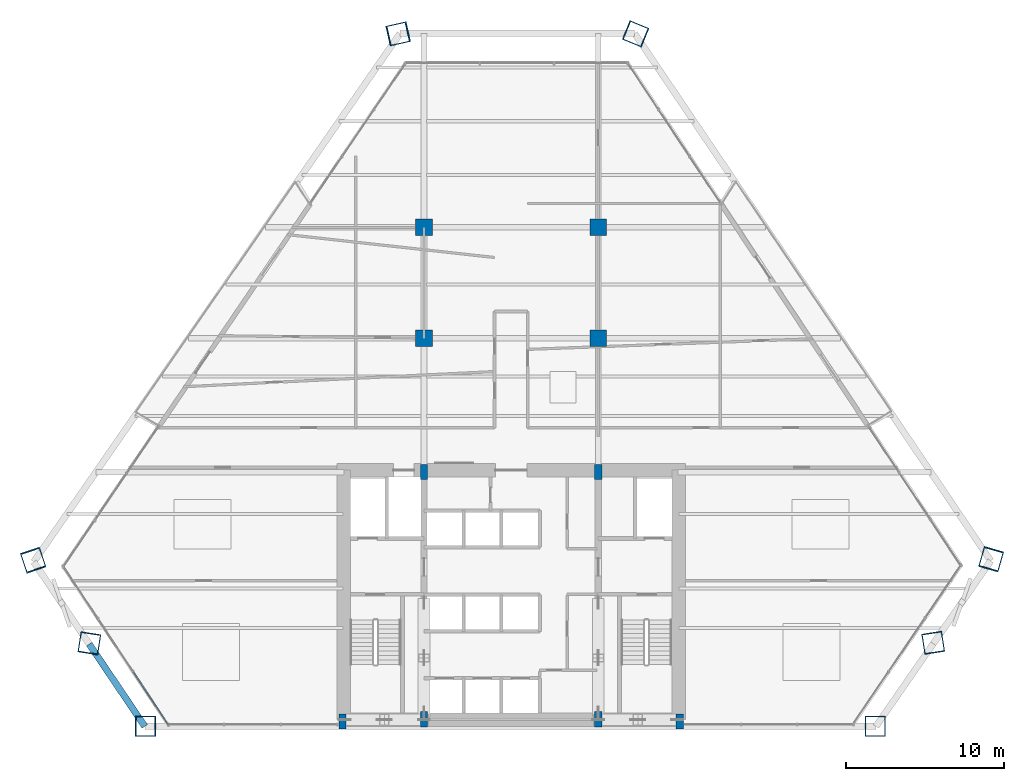
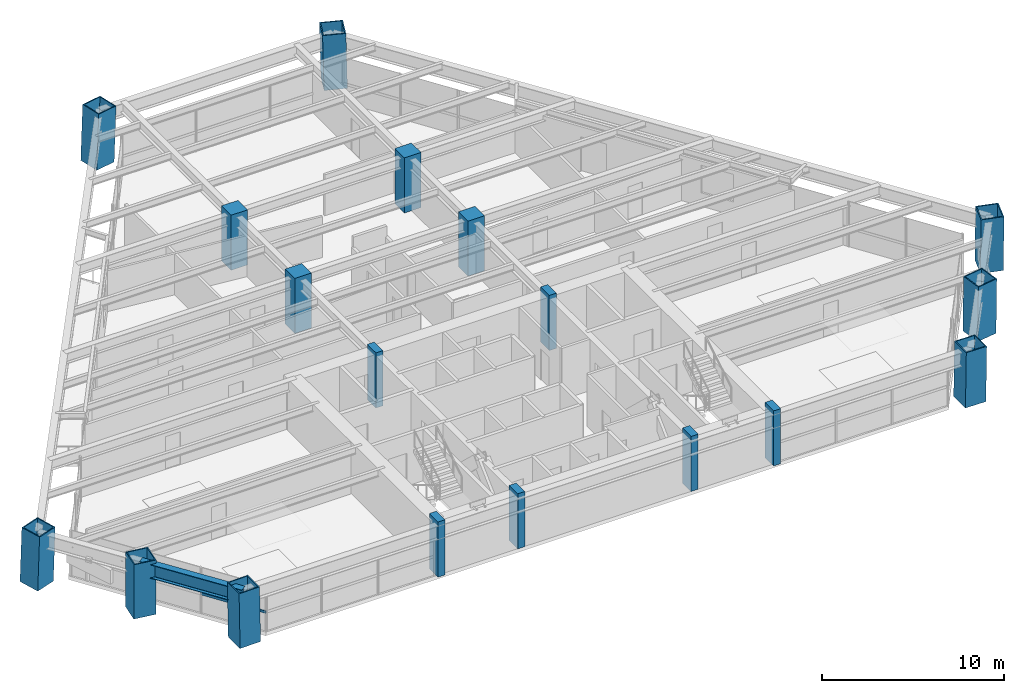
# One storey, part 1 of 14: 18 columns, 1 beam, 1 member, 1 element without a shape of its own.
"""IFC4 building model written with IfcOpenShell, lengths in metres."""

from ifc_helpers import new_model, si_unit, direction, frame, origin, origin_2d, place, context, subcontext, project, spatial, rectangle, hollow_rectangle, i_section, extrude, source, transform, mapped, material, material_profile, profile_set, type_object, element, aggregate, save


model = new_model("IFC4")

# Units and contexts
model_context = context("Model", 3, precision=1e-05, world=origin(), true_north=direction((0.0, 1.0)))
body_context = subcontext(model_context, "Body", "Model", "MODEL_VIEW")
ifc_project = project(units=[si_unit("LENGTHUNIT", "METRE"), si_unit("AREAUNIT", "SQUARE_METRE"), si_unit("VOLUMEUNIT", "CUBIC_METRE"), si_unit("PLANEANGLEUNIT", "RADIAN"), si_unit("MASSUNIT", "GRAM", prefix="KILO")], contexts=[model_context])

# Site, building, storey
site_placement = place(None, origin())
site = spatial("IfcSite", under=ifc_project, at=site_placement, CompositionType="ELEMENT")
building_placement = place(site_placement, origin())
building = spatial("IfcBuilding", under=site, at=building_placement, Name="Varnakhor Terracotta Tower", CompositionType="ELEMENT")
storey_placement = place(building_placement, frame((0.0, 0.0, 60.800048828125)))
storey = spatial("IfcBuildingStorey", under=building, at=storey_placement, Name="L14", CompositionType="ELEMENT", Elevation=60.800048828125)

# Columns
ifc_material_1 = material(Name="Concrete C50/60", Category="concrete")
ifc_material_profile_1 = material_profile(ifc_material_1, rectangle(XDim=0.449951171875, YDim=0.949951171875, at=origin_2d()), Name="RC PILASTER 950x450")
ifc_profile_set_1 = profile_set([ifc_material_profile_1], Name="Concrete C50/60")
column_type_1 = type_object("IfcColumnType", Name="COL-PIL-950x450", PredefinedType="PILASTER", material=ifc_profile_set_1)
shared_shape_1 = source(origin(), body_context, "Body", "SweptSolid", [
    extrude(rectangle(XDim=0.449951171875, YDim=0.949951171875, at=origin_2d()), origin(), (0.0, 0.0, 1.0), 3.699951171875),
])
for number, where, z_axis, x_axis, name in (
    (1, (-10.64990234375, 0.300048828125, 0.0), (0.0, 0.0, 1.0), (1.0, 0.0, 0.0), "L14 Core Pilaster CP1"),
    (2, (-5.5, 0.449951171875, 0.0), (0.0, 0.0, 1.0), (1.0, 0.0, 0.0), "L14 Core Pilaster CP2"),
    (3, (5.5, 0.449951171875, 0.0), (0.0, 0.0, 1.0), (1.0, 0.0, 0.0), "L14 Core Pilaster CP3"),
    (4, (10.64990234375, 0.300048828125, 0.0), (0.0, 0.0, 1.0), (1.0, 0.0, 0.0), "L14 Core Pilaster CP4"),
    (5, (-5.5, 16.050048828125, 0.0), (0.0, 0.0, 1.0), (1.0, 0.0, 0.0), "L14 Core Pilaster CP5"),
    (6, (5.5, 16.050048828125, 0.0), (0.0, 0.0, 1.0), (1.0, 0.0, 0.0), "L14 Core Pilaster CP6"),
):
    element("IfcColumn", number, at=place(storey_placement, frame(where, z_axis=z_axis, x_axis=x_axis)), inside=storey, type_object=column_type_1, Name=name, PredefinedType="PILASTER", context=body_context, shape_type="MappedRepresentation", body=[
        mapped(shared_shape_1, transform((0.0, 0.0, 0.0), scale=1.0)),
    ])
ifc_material_2 = material(Name="Steel S460", Category="steel")
ifc_material_profile_2 = material_profile(ifc_material_2, hollow_rectangle(XDim=1.300048828125, YDim=1.300048828125, WallThickness=0.06494140625, at=origin_2d()), Name="BOX 1300x1300x65")
ifc_profile_set_2 = profile_set([ifc_material_profile_2], Name="Steel S460")
column_type_2 = type_object("IfcColumnType", Name="COL-MEGA-1300", PredefinedType="COLUMN", material=ifc_profile_set_2)
shared_shape_2 = source(origin(), body_context, "Body", "SweptSolid", [
    extrude(hollow_rectangle(XDim=1.300048828125, YDim=1.300048828125, WallThickness=0.06494140625, at=origin_2d()), origin(), (0.0, 0.0, 1.0), 3.691650390625),
])
for number, where, z_axis, x_axis, name in (
    (7, (-23.062255859375, 0.0, 0.00439453125), (-0.017128249547, 0.0, 0.999853300773), (0.0, -1.0, 0.0), "L14 Perimeter Mega-Column M1"),
    (8, (22.976318359375, 0.0, 0.00439453125), (0.014615807496, 0.0, 0.999893183381), (0.0, 1.0, 0.0), "L14 Perimeter Mega-Column M2"),
    (9, (26.64306640625, 5.287109375, 0.00439453125), (0.002579174526, -0.016533170039, 0.999859991272), (0.988049680197, 0.154135750111, 0.0), "L14 Perimeter Mega-Column M3"),
    (10, (-26.62060546875, 5.255615234375, 0.00439453125), (-0.002711399396, -0.017392635151, 0.999845060275), (0.988065695146, -0.154033055137, 0.0), "L14 Perimeter Mega-Column M8"),
):
    element("IfcColumn", number, at=place(storey_placement, frame(where, z_axis=z_axis, x_axis=x_axis)), inside=storey, type_object=column_type_2, Name=name, PredefinedType="COLUMN", context=body_context, shape_type="MappedRepresentation", body=[
        mapped(shared_shape_2, transform((0.0, 0.0, 0.0), scale=1.0)),
    ])
shared_shape_3 = source(origin(), body_context, "Body", "SweptSolid", [
    extrude(hollow_rectangle(XDim=1.300048828125, YDim=1.300048828125, WallThickness=0.06494140625, at=origin_2d()), origin(), (0.0, 0.0, 1.0), 3.693359375),
])
column_1_placement = place(storey_placement, frame((30.309814453125, 10.573974609375, 0.00439453125), z_axis=(-0.009518845571, -0.032919340932, 0.999412681814), x_axis=(0.960645574406, -0.277777033563, 0.0)))
element("IfcColumn", 11, at=column_1_placement, inside=storey, type_object=column_type_2, Name="L14 Perimeter Mega-Column M4", PredefinedType="COLUMN", context=body_context, shape_type="MappedRepresentation", body=[
    mapped(shared_shape_3, transform((0.0, 0.0, 0.0), scale=1.0)),
])
shared_shape_4 = source(origin(), body_context, "Body", "SweptSolid", [
    extrude(hollow_rectangle(XDim=1.300048828125, YDim=1.300048828125, WallThickness=0.06494140625, at=origin_2d()), origin(), (0.0, 0.0, 1.0), 3.69384765625),
])
column_2_placement = place(storey_placement, frame((-7.1533203125, 43.71240234375, 0.00439453125), z_axis=(0.037870766223, 0.008525879307, 0.999246273172), x_axis=(-0.219633734436, 0.975582401798, 0.0)))
element("IfcColumn", 12, at=column_2_placement, inside=storey, type_object=column_type_2, Name="L14 Perimeter Mega-Column M6", PredefinedType="COLUMN", context=body_context, shape_type="MappedRepresentation", body=[
    mapped(shared_shape_4, transform((0.0, 0.0, 0.0), scale=1.0)),
])
ifc_material_3 = material(Name="Concrete C60/75", Category="concrete")
ifc_material_profile_3 = material_profile(ifc_material_3, rectangle(XDim=1.050048828125, YDim=1.050048828125, at=origin_2d()), Name="RC 1050x1050")
ifc_profile_set_3 = profile_set([ifc_material_profile_3], Name="Concrete C60/75")
column_type_3 = type_object("IfcColumnType", Name="COL-RC-1050", PredefinedType="COLUMN", material=ifc_profile_set_3)
shared_shape_5 = source(origin(), body_context, "Body", "SweptSolid", [
    extrude(rectangle(XDim=1.050048828125, YDim=1.050048828125, at=origin_2d()), origin(), (0.0, 0.0, 1.0), 3.699951171875),
])
for number, where, z_axis, x_axis, name in (
    (13, (-5.5, 24.5, 0.0), (0.0, 0.0, 1.0), (1.0, 0.0, 0.0), "L14 Interior Tower Column IC1"),
    (14, (5.5, 24.5, 0.0), (0.0, 0.0, 1.0), (1.0, 0.0, 0.0), "L14 Interior Tower Column IC2"),
    (15, (-5.5, 31.5, 0.0), (0.0, 0.0, 1.0), (1.0, 0.0, 0.0), "L14 Interior Tower Column IC3"),
    (16, (5.5, 31.5, 0.0), (0.0, 0.0, 1.0), (1.0, 0.0, 0.0), "L14 Interior Tower Column IC4"),
):
    element("IfcColumn", number, at=place(storey_placement, frame(where, z_axis=z_axis, x_axis=x_axis)), inside=storey, type_object=column_type_3, Name=name, PredefinedType="COLUMN", context=body_context, shape_type="MappedRepresentation", body=[
        mapped(shared_shape_5, transform((0.0, 0.0, 0.0), scale=1.0)),
    ])
shared_shape_6 = source(origin(), body_context, "Body", "SweptSolid", [
    extrude(hollow_rectangle(XDim=1.300048828125, YDim=1.300048828125, WallThickness=0.06494140625, at=origin_2d()), origin(), (0.0, 0.0, 1.0), 3.692138671875),
])
column_3_placement = place(storey_placement, frame((7.873779296875, 43.71240234375, 0.00439453125), z_axis=(-0.02076333626, 0.008530160438, 0.99974802837), x_axis=(-0.380008874056, -0.924982840726, 0.0)))
element("IfcColumn", 17, at=column_3_placement, inside=storey, type_object=column_type_2, Name="L14 Perimeter Mega-Column M5", PredefinedType="COLUMN", context=body_context, shape_type="MappedRepresentation", body=[
    mapped(shared_shape_6, transform((0.0, 0.0, 0.0), scale=1.0)),
])
shared_shape_7 = source(origin(), body_context, "Body", "SweptSolid", [
    extrude(hollow_rectangle(XDim=1.300048828125, YDim=1.300048828125, WallThickness=0.06494140625, at=origin_2d()), origin(), (0.0, 0.0, 1.0), 3.693603515625),
])
column_4_placement = place(storey_placement, frame((-30.1787109375, 10.51123046875, 0.00439453125), z_axis=(0.011699244086, -0.034767245136, 0.999326956683), x_axis=(0.947778517779, 0.318929273093, 0.0)))
element("IfcColumn", 18, at=column_4_placement, inside=storey, type_object=column_type_2, Name="L14 Perimeter Mega-Column M7", PredefinedType="COLUMN", context=body_context, shape_type="MappedRepresentation", body=[
    mapped(shared_shape_7, transform((0.0, 0.0, 0.0), scale=1.0)),
])

# Beam
ifc_material_4 = material(Name="Steel S355", Category="steel")
ifc_material_profile_4 = material_profile(ifc_material_4, i_section(OverallWidth=0.41796875, OverallDepth=0.927001953125, WebThickness=0.01904296875, FlangeThickness=0.031982421875, FilletRadius=0.01806640625, at=origin_2d()), Name="W36X231")
ifc_profile_set_4 = profile_set([ifc_material_profile_4], Name="Steel S355")
beam_type = type_object("IfcBeamType", Name="BM-W36X231", PredefinedType="BEAM", material=ifc_profile_set_4)
shared_shape_8 = source(origin(), body_context, "Body", "SweptSolid", [
    extrude(i_section(OverallWidth=0.41796875, OverallDepth=0.927001953125, WebThickness=0.01904296875, FlangeThickness=0.031982421875, FilletRadius=0.01806640625, at=origin_2d()), origin(), (0.0, 0.0, 1.0), 6.263916015625),
])
beam_placement = place(storey_placement, frame((-26.630615234375, 5.19140625, 2.986572265625), z_axis=(0.559574599372, -0.828779987535, 0.0), x_axis=(0.828779987535, 0.559574599372, 0.0)))
element("IfcBeam", 19, at=beam_placement, inside=storey, type_object=beam_type, Name="L14 Perimeter Spandrel 8", PredefinedType="BEAM", context=body_context, shape_type="MappedRepresentation", body=[
    mapped(shared_shape_8, transform((0.0, 0.0, 0.0), scale=1.0)),
])

# Curtain wall, member
ifc_material_5 = material(Name="Anodised Aluminium Curtain Wall System", Category="aluminium")
curtain_wall_type = type_object("IfcCurtainWallType", Name="CW-SYS-LOW-OFFICE", PredefinedType="NOTDEFINED", material=ifc_material_5)
curtain_wall_placement = place(storey_placement, origin())
curtain_wall = element("IfcCurtainWall", 20, at=curtain_wall_placement, inside=storey, type_object=curtain_wall_type, Name="L14 Facet Curtain Wall 6", PredefinedType="NOTDEFINED")
ifc_material_6 = material(Name="Anodised Aluminium 6063-T6", Category="aluminium")
ifc_material_profile_5 = material_profile(ifc_material_6, rectangle(XDim=0.074951171875, YDim=0.1650390625, at=origin_2d()), Name="ALU TRANSOM 75x165")
ifc_profile_set_5 = profile_set([ifc_material_profile_5], Name="Anodised Aluminium 6063-T6")
member_type = type_object("IfcMemberType", Name="CWT-02", PredefinedType="USERDEFINED", material=ifc_profile_set_5)
shared_shape_9 = source(origin(), body_context, "Body", "SweptSolid", [
    extrude(rectangle(XDim=0.074951171875, YDim=0.1650390625, at=origin_2d()), origin(), (0.0, 0.0, 1.0), 4.018310546875),
])
member_placement = place(storey_placement, frame((-21.624755859375, 0.09130859375, 1.2724609375), z_axis=(-0.552511079507, 0.833505553084, 0.0), x_axis=(-0.833505553084, -0.552511079507, 0.0)))
member = element("IfcMember", 21, at=member_placement, type_object=member_type, Name="L14 Facet Curtain Wall 6 Transom 1", ObjectType="TRANSOM", PredefinedType="USERDEFINED", context=body_context, shape_type="MappedRepresentation", body=[
    mapped(shared_shape_9, transform((0.0, 0.0, 0.0), scale=1.0)),
])
aggregate(curtain_wall, [member])

save(model, "model.ifc")
